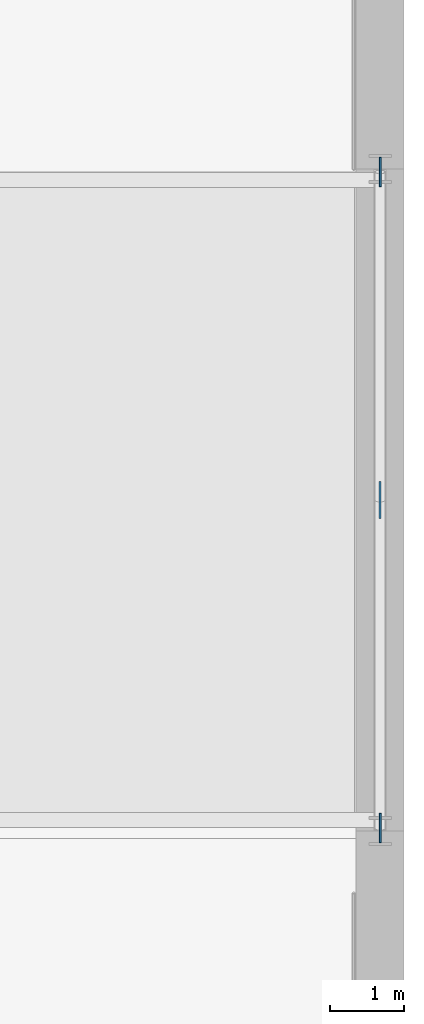
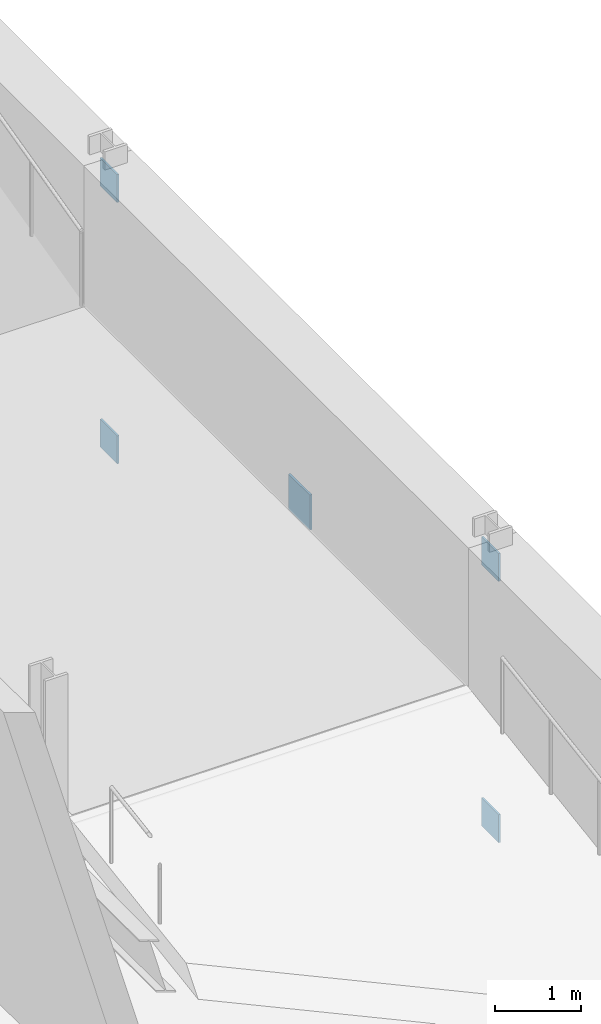
# One storey, part 32 of 35: 5 discrete accessories.
"""IFC4 building model written with IfcOpenShell, lengths in metres."""

from ifc_helpers import new_model, si_unit, direction, frame, origin, origin_2d, place, context, subcontext, project, spatial, rectangle, extrude, material, type_object, element, save


model = new_model("IFC4")

# Units and contexts
model_context = context("Model", 3, precision=1e-05, world=origin(), true_north=direction((0.0, 1.0)))
body_context = subcontext(model_context, "Body", "Model", "MODEL_VIEW")
ifc_project = project(units=[si_unit("LENGTHUNIT", "METRE"), si_unit("AREAUNIT", "SQUARE_METRE"), si_unit("VOLUMEUNIT", "CUBIC_METRE"), si_unit("PLANEANGLEUNIT", "RADIAN"), si_unit("MASSUNIT", "GRAM", prefix="KILO")], contexts=[model_context])

# Site, building, storey
site_placement = place(None, origin())
site = spatial("IfcSite", under=ifc_project, at=site_placement, CompositionType="ELEMENT")
building_placement = place(site_placement, origin())
building = spatial("IfcBuilding", under=site, at=building_placement, Name="Palais des Congres Ocreval", CompositionType="ELEMENT")
storey_placement = place(building_placement, frame((0.0, 0.0, -4.47998046875)))
storey = spatial("IfcBuildingStorey", under=building, at=storey_placement, Name="B1", CompositionType="ELEMENT", Elevation=-4.47998046875)

# Discrete accessories
ifc_material = material(Name="Steel S355", Category="steel")
discrete_accessory_type_1 = type_object("IfcDiscreteAccessoryType", Name="Cast-In Embed Plate PL25 Steel S355", PredefinedType="USERDEFINED", material=ifc_material)
for number, where, z_axis, x_axis, name in (
    (1, (168.0, 27.0400390625, 0.0), (0.0, 0.0, 1.0), (0.0, -1.0, 0.0), "Cast-In Embed Plate EP01"),
    (2, (168.0, 35.9599609375, 3.72998046875), (0.0, 0.0, 1.0), (0.0, -1.0, 0.0), "Cast-In Embed Plate EP01"),
    (3, (168.0, 27.0400390625, 3.72998046875), (0.0, 0.0, 1.0), (0.0, -1.0, 0.0), "Cast-In Embed Plate EP01"),
    (4, (168.0, 35.9599609375, 0.0), (0.0, 0.0, 1.0), (0.0, -1.0, 0.0), "Cast-In Embed Plate EP01"),
):
    element("IfcDiscreteAccessory", number, at=place(storey_placement, frame(where, z_axis=z_axis, x_axis=x_axis)), inside=storey, type_object=discrete_accessory_type_1, Name=name, ObjectType="EMBED PLATE", PredefinedType="USERDEFINED", context=body_context, shape_type="SweptSolid", body=[
        extrude(rectangle(XDim=0.39990234375, YDim=0.02490234375, at=origin_2d()), origin(), (0.0, 0.0, 1.0), 0.39990234375),
    ])
discrete_accessory_type_2 = type_object("IfcDiscreteAccessoryType", Name="X-Brace Node Gusset Plate PL30 Steel S355", PredefinedType="USERDEFINED", material=ifc_material)
discrete_accessory_placement = place(storey_placement, frame((168.0, 31.5, 1.7900390625), z_axis=(0.0, 0.0, 1.0), x_axis=(0.0, 1.0, 0.0)))
element("IfcDiscreteAccessory", 5, at=discrete_accessory_placement, inside=storey, type_object=discrete_accessory_type_2, Name="X-Brace Node Gusset Plate GP01", ObjectType="GUSSET PLATE", PredefinedType="USERDEFINED", context=body_context, shape_type="SweptSolid", body=[
    extrude(rectangle(XDim=0.5, YDim=0.030029296875, at=origin_2d()), origin(), (0.0, 0.0, 1.0), 0.5),
])

save(model, "model.ifc")
